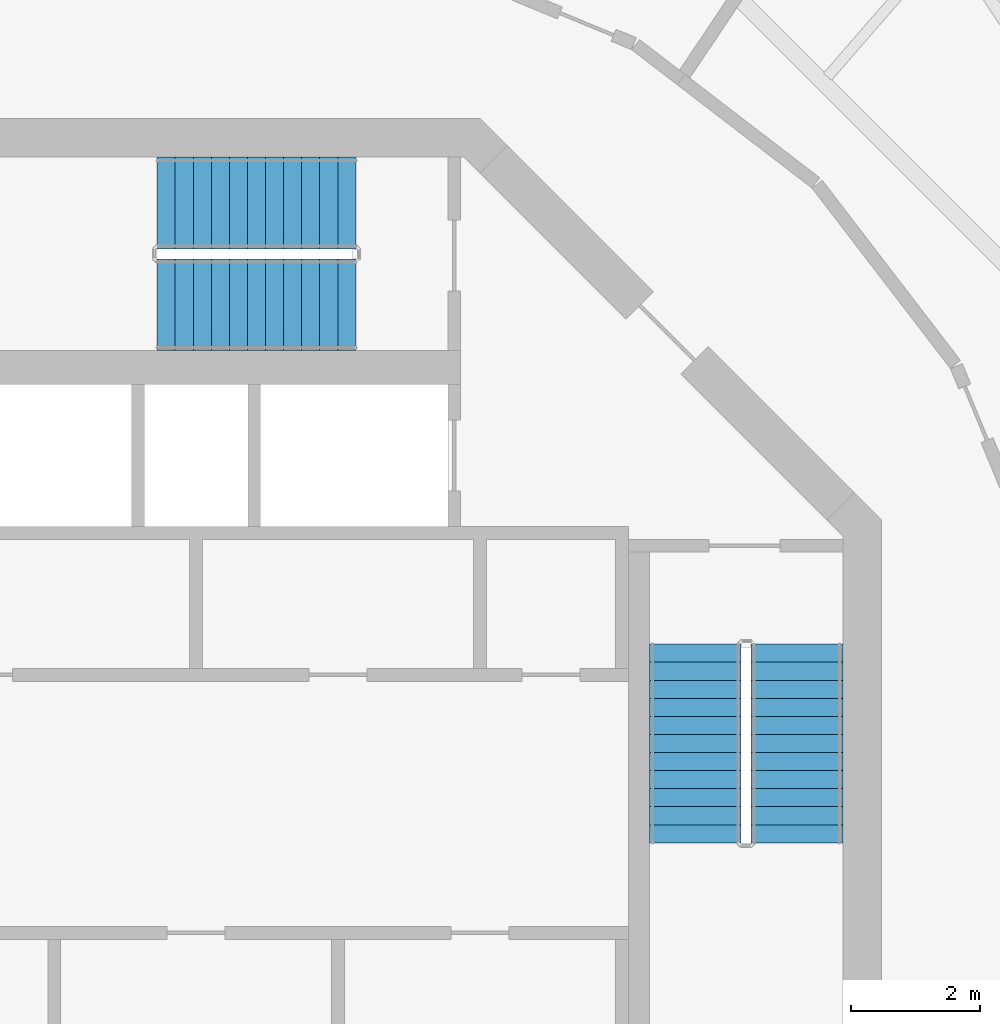
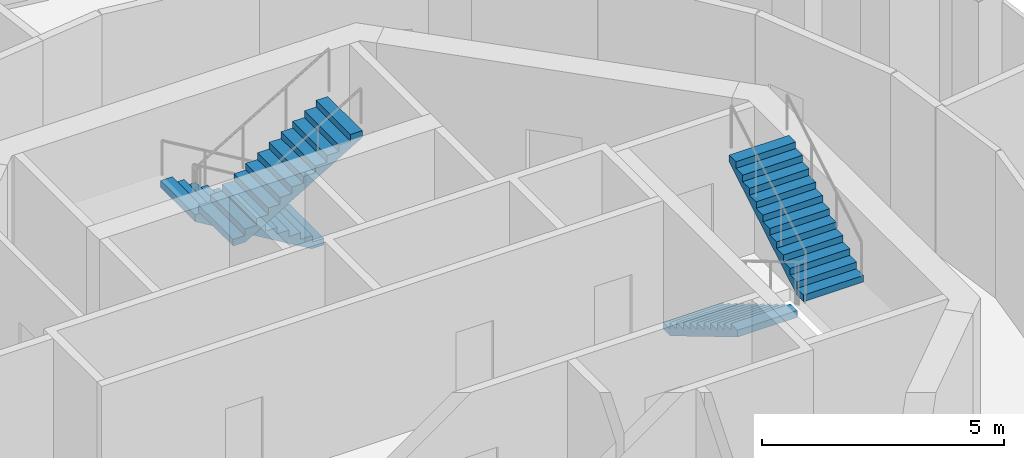
# One storey, part 10 of 11: 4 stair flights, 2 elements without a shape of their own.
"""IFC4 building model written with IfcOpenShell, lengths in metres."""

import ifcopenshell
import ifcopenshell.guid

model = None  # the IFC model being written
_history = None  # IfcOwnerHistory: only IFC2X3 demands one
_inside = {}  # id of a spatial element -> (the spatial element, [elements in it])
_under = {}  # id of a project, library or spatial element -> (it, [spatial elements below it])
_declared = {}  # id of a project -> (the project, [libraries it declares])
_typed = {}  # id of a type object -> (the type object, [elements of that type])
_made_of = {}  # id of a material, layer set ... -> (it, [elements and type objects made of it])


def new_model(schema):
    """Start an empty IFC model of exactly this schema.

    Asked for "IFC4X3", IfcOpenShell would pick the latest addendum, in which some entities
    have other attributes; the version numbers below select the first issue.
    IFC2X3 requires an IfcOwnerHistory on every rooted entity: one is made here for all.
    """
    global model, _history
    if schema == "IFC4X3":
        model = ifcopenshell.file(schema_version=(4, 3, 0, 0))
    else:
        model = ifcopenshell.file(schema=schema)
    _inside.clear()
    _under.clear()
    _declared.clear()
    _typed.clear()
    _made_of.clear()
    _history = None
    if model.schema == "IFC2X3":
        org = make("IfcOrganization", Name="unknown")
        user = make(
            "IfcPersonAndOrganization",
            ThePerson=make("IfcPerson", FamilyName="unknown"),
            TheOrganization=org,
        )
        app = make(
            "IfcApplication",
            ApplicationDeveloper=org,
            Version="unknown",
            ApplicationFullName="unknown",
            ApplicationIdentifier="unknown",
        )
        _history = make(
            "IfcOwnerHistory",
            OwningUser=user,
            OwningApplication=app,
            ChangeAction="ADDED",
            CreationDate=0,
        )
    return model


def make(cls, **values):
    """One entity of the class cls with the attributes given. An attribute that is None is left unset."""
    return model.create_entity(
        cls, **{name: value for name, value in values.items() if value is not None}
    )


def rooted(cls, **values):
    """An entity with a GlobalId (a new one), such as an element, a storey or a relation."""
    return make(cls, GlobalId=ifcopenshell.guid.new(), OwnerHistory=_history, **values)


def si_unit(unit_type, name, prefix=None):
    """IfcSIUnit, for example si_unit("LENGTHUNIT", "METRE", prefix="MILLI")."""
    return make("IfcSIUnit", UnitType=unit_type, Prefix=prefix, Name=name)


def assignment(units):
    """IfcUnitAssignment: the units of a project."""
    return None if units is None else make("IfcUnitAssignment", Units=units)


def point(xyz):
    """IfcCartesianPoint."""
    return None if xyz is None else make("IfcCartesianPoint", Coordinates=xyz)


def direction(xyz):
    """IfcDirection."""
    return None if xyz is None else make("IfcDirection", DirectionRatios=xyz)


def frame(location, z_axis=None, x_axis=None):
    """IfcAxis2Placement3D, a coordinate frame: its origin and axes. An axis left out is left unset."""
    return make(
        "IfcAxis2Placement3D",
        Location=point(location),
        Axis=direction(z_axis),
        RefDirection=direction(x_axis),
    )


def origin():
    """The frame at (0, 0, 0) with its axes left unset."""
    return frame((0.0, 0.0, 0.0))


def place(relative_to, where):
    """IfcLocalPlacement: puts the frame where relative to a parent placement (None: the world)."""
    return make(
        "IfcLocalPlacement", PlacementRelTo=relative_to, RelativePlacement=where
    )


def context(
    kind, dimensions, precision=None, world=None, true_north=None, identifier=None
):
    """IfcGeometricRepresentationContext, for example the 3D "Model" context."""
    return make(
        "IfcGeometricRepresentationContext",
        ContextIdentifier=identifier,
        ContextType=kind,
        CoordinateSpaceDimension=dimensions,
        Precision=precision,
        WorldCoordinateSystem=world,
        TrueNorth=true_north,
    )


def subcontext(parent, identifier, kind, view, scale=None):
    """IfcGeometricRepresentationSubContext, for example "Body" below "Model"."""
    return make(
        "IfcGeometricRepresentationSubContext",
        ContextIdentifier=identifier,
        ContextType=kind,
        ParentContext=parent,
        TargetScale=scale,
        TargetView=view,
    )


def project(units=None, contexts=None):
    """IfcProject with its units and contexts."""
    return rooted(
        "IfcProject",
        Name="project",
        RepresentationContexts=contexts,
        UnitsInContext=assignment(units),
    )


def spatial(cls, under=None, at=None, **own):
    """A site, building, storey or space (cls), placed at a placement, below another one or the project."""
    s = rooted(cls, ObjectPlacement=at, **own)
    if under is not None:
        _under.setdefault(under.id(), (under, []))[1].append(s)
    return s


def polyline(points):
    """IfcPolyline through the points."""
    return make("IfcPolyline", Points=[point(p) for p in points])


def outline(outer, holes=None, kind="AREA"):
    """IfcArbitraryClosedProfileDef: a profile drawn as a closed curve; with holes, ...WithVoids."""
    if holes is None:
        return make("IfcArbitraryClosedProfileDef", ProfileType=kind, OuterCurve=outer)
    return make(
        "IfcArbitraryProfileDefWithVoids",
        ProfileType=kind,
        OuterCurve=outer,
        InnerCurves=holes,
    )


def extrude(swept, where, along, depth):
    """IfcExtrudedAreaSolid: the profile swept, set in the frame where, extruded along a direction by depth."""
    return make(
        "IfcExtrudedAreaSolid",
        SweptArea=swept,
        Position=where,
        ExtrudedDirection=direction(along),
        Depth=depth,
    )


def shape(context_of_items, identifier, shape_type, items):
    """IfcShapeRepresentation: the items that make up one representation, for example the "Body"."""
    return make(
        "IfcShapeRepresentation",
        ContextOfItems=context_of_items,
        RepresentationIdentifier=identifier,
        RepresentationType=shape_type,
        Items=items,
    )


def material(Name=None, Category=None):
    """IfcMaterial."""
    return make("IfcMaterial", Name=Name, Category=Category)


def made_of(thing, what):
    """Note that an element or type object is made of a material, layer set ...; save() writes the relation."""
    if what is not None:
        _made_of.setdefault(what.id(), (what, []))[1].append(thing)
    return thing


def type_object(cls, material=None, **own):
    """A type object (cls), such as IfcWallType, which elements share."""
    return made_of(rooted(cls, **own), material)


def element(
    cls,
    number,
    at=None,
    inside=None,
    cuts=None,
    type_object=None,
    material=None,
    context=None,
    identifier="Body",
    shape_type=None,
    held_by="IfcProductDefinitionShape",
    body=None,
    shapes=None,
    **own,
):
    """One element of the class cls, such as IfcWall. Its Tag is "e" and its number.

    at: its placement. inside: the storey or other place that contains it. cuts: it is an
    opening in that element (IfcRelVoidsElement). A single representation is given by context,
    identifier, shape_type and body (its items); several are given by shapes. held_by: the class
    of the entity that holds the representations. save() writes the other relations.
    """
    e = rooted(cls, Tag="e%d" % number, ObjectPlacement=at, **own)
    if body is not None:
        shapes = [shape(context, identifier, shape_type, body)]
    if shapes is not None:
        e.Representation = make(held_by, Representations=shapes)
    if inside is not None:
        _inside.setdefault(inside.id(), (inside, []))[1].append(e)
    if cuts is not None:
        rooted(
            "IfcRelVoidsElement", RelatingBuildingElement=cuts, RelatedOpeningElement=e
        )
    if type_object is not None:
        _typed.setdefault(type_object.id(), (type_object, []))[1].append(e)
    return made_of(e, material)


def aggregate(whole, parts):
    """IfcRelAggregates: a whole, such as a stair, and the parts it consists of."""
    return rooted("IfcRelAggregates", RelatingObject=whole, RelatedObjects=parts)


def save(model, path):
    """Write the relations noted so far, then the file.

    IfcRelAggregates (storeys below a building ...), IfcRelContainedInSpatialStructure (elements
    in a storey), IfcRelDefinesByType, IfcRelAssociatesMaterial and IfcRelDeclares: one each for
    every whole, place, type object, material and project.
    """
    for whole, parts in _under.values():
        aggregate(whole, parts)
    for where, things in _inside.values():
        rooted(
            "IfcRelContainedInSpatialStructure",
            RelatedElements=things,
            RelatingStructure=where,
        )
    for kind, things in _typed.values():
        rooted("IfcRelDefinesByType", RelatedObjects=things, RelatingType=kind)
    for what, things in _made_of.values():
        rooted("IfcRelAssociatesMaterial", RelatedObjects=things, RelatingMaterial=what)
    for by, libraries in _declared.values():
        rooted("IfcRelDeclares", RelatingContext=by, RelatedDefinitions=libraries)
    model.write(path)


model = new_model("IFC4")

# Units and contexts
model_context = context("Model", 3, precision=1e-05, world=origin(), true_north=direction((0.0, 1.0)))
body_context = subcontext(model_context, "Body", "Model", "MODEL_VIEW")
ifc_project = project(units=[si_unit("LENGTHUNIT", "METRE"), si_unit("AREAUNIT", "SQUARE_METRE"), si_unit("VOLUMEUNIT", "CUBIC_METRE"), si_unit("PLANEANGLEUNIT", "RADIAN"), si_unit("MASSUNIT", "GRAM", prefix="KILO")], contexts=[model_context])

# Site, building, storey
site_placement = place(None, origin())
site = spatial("IfcSite", under=ifc_project, at=site_placement, CompositionType="ELEMENT")
building_placement = place(site_placement, origin())
building = spatial("IfcBuilding", under=site, at=building_placement, Name="Nagisa Residences", CompositionType="ELEMENT")
storey_placement = place(building_placement, frame((0.0, 0.0, 332.89990234375)))
storey = spatial("IfcBuildingStorey", under=building, at=storey_placement, Name="L82", CompositionType="ELEMENT", Elevation=332.89990234375)

# Stair, stair flights
ifc_material_1 = material(Name="Concrete C60", Category="concrete")
stair_type = type_object("IfcStairType", Name="Exit stair", PredefinedType="HALF_TURN_STAIR", material=ifc_material_1)
stair_1_placement = place(storey_placement, origin())
stair_1 = element("IfcStair", 1, at=stair_1_placement, inside=storey, type_object=stair_type, Name="L82 Exit stair E", PredefinedType="HALF_TURN_STAIR")
ifc_material_2 = material(Name="Concrete C60", Category="concrete")
stair_flight_type = type_object("IfcStairFlightType", Name="Exit stair flight", PredefinedType="STRAIGHT", material=ifc_material_2)
stair_flight_1_placement = place(storey_placement, frame((7.737060546875, 2.47509765625, 0.0), z_axis=(0.0, 0.0, 1.0), x_axis=(0.0, -1.0, 0.0)))
stair_flight_1 = element("IfcStairFlight", 2, at=stair_flight_1_placement, type_object=stair_flight_type, Name="ST-E flight 1", NumberOfRisers=12, NumberOfTreads=11, PredefinedType="STRAIGHT", RiserHeight=0.166666667, TreadLength=0.28, context=body_context, shape_type="SweptSolid", body=[
    extrude(outline(polyline([(0.0, 0.0), (0.0, 0.166748046875), (0.280029296875, 0.166748046875), (0.280029296875, 0.333251953125), (0.56005859375, 0.333251953125), (0.56005859375, 0.5), (0.840087890625, 0.5), (0.840087890625, 0.666748046875), (1.1201171875, 0.666748046875), (1.1201171875, 0.833251953125), (1.39990234375, 0.833251953125), (1.39990234375, 1.0), (1.679931640625, 1.0), (1.679931640625, 1.166748046875), (1.9599609375, 1.166748046875), (1.9599609375, 1.333251953125), (2.239990234375, 1.333251953125), (2.239990234375, 1.5), (2.52001953125, 1.5), (2.52001953125, 1.666748046875), (2.800048828125, 1.666748046875), (2.800048828125, 1.833251953125), (3.080078125, 1.833251953125), (3.080078125, 2.0), (3.080078125, 1.658935546875), (0.29296875, 0.0), (0.0, 0.0)])), frame((0.0, 0.71240234375, 0.0), z_axis=(0.0, -1.0, 0.0), x_axis=(1.0, 0.0, 0.0)), (0.0, 0.0, 1.0), 1.425048828125),
])
stair_flight_2_placement = place(storey_placement, frame((9.31201171875, -0.60498046875, 2.0), z_axis=(0.0, 0.0, 1.0), x_axis=(0.0, 1.0, 0.0)))
stair_flight_2 = element("IfcStairFlight", 3, at=stair_flight_2_placement, type_object=stair_flight_type, Name="ST-E flight 2", NumberOfRisers=12, NumberOfTreads=11, PredefinedType="STRAIGHT", RiserHeight=0.166666667, TreadLength=0.28, context=body_context, shape_type="SweptSolid", body=[
    extrude(outline(polyline([(0.0, 0.0), (0.0, 0.166748046875), (0.280029296875, 0.166748046875), (0.280029296875, 0.333251953125), (0.56005859375, 0.333251953125), (0.56005859375, 0.5), (0.840087890625, 0.5), (0.840087890625, 0.666748046875), (1.1201171875, 0.666748046875), (1.1201171875, 0.833251953125), (1.39990234375, 0.833251953125), (1.39990234375, 1.0), (1.679931640625, 1.0), (1.679931640625, 1.166748046875), (1.9599609375, 1.166748046875), (1.9599609375, 1.333251953125), (2.239990234375, 1.333251953125), (2.239990234375, 1.5), (2.52001953125, 1.5), (2.52001953125, 1.666748046875), (2.800048828125, 1.666748046875), (2.800048828125, 1.833251953125), (3.080078125, 1.833251953125), (3.080078125, 2.0), (3.080078125, 1.658935546875), (0.29296875, 0.0), (0.0, 0.0)])), frame((0.0, 0.71240234375, 0.0), z_axis=(0.0, -1.0, 0.0), x_axis=(1.0, 0.0, 0.0)), (0.0, 0.0, 1.0), 1.425048828125),
])
aggregate(stair_1, [stair_flight_1, stair_flight_2])

stair_2_placement = place(storey_placement, origin())
stair_2 = element("IfcStair", 4, at=stair_2_placement, inside=storey, type_object=stair_type, Name="L82 Exit stair N", PredefinedType="HALF_TURN_STAIR")
stair_flight_3_placement = place(storey_placement, frame((2.47509765625, 9.31201171875, 0.0), z_axis=(0.0, 0.0, 1.0), x_axis=(-1.0, 0.0, 0.0)))
stair_flight_3 = element("IfcStairFlight", 5, at=stair_flight_3_placement, type_object=stair_flight_type, Name="ST-N flight 1", NumberOfRisers=12, NumberOfTreads=11, PredefinedType="STRAIGHT", RiserHeight=0.166666667, TreadLength=0.28, context=body_context, shape_type="SweptSolid", body=[
    extrude(outline(polyline([(0.0, 0.0), (0.0, 0.166748046875), (0.280029296875, 0.166748046875), (0.280029296875, 0.333251953125), (0.56005859375, 0.333251953125), (0.56005859375, 0.5), (0.840087890625, 0.5), (0.840087890625, 0.666748046875), (1.1201171875, 0.666748046875), (1.1201171875, 0.833251953125), (1.39990234375, 0.833251953125), (1.39990234375, 1.0), (1.679931640625, 1.0), (1.679931640625, 1.166748046875), (1.9599609375, 1.166748046875), (1.9599609375, 1.333251953125), (2.239990234375, 1.333251953125), (2.239990234375, 1.5), (2.52001953125, 1.5), (2.52001953125, 1.666748046875), (2.800048828125, 1.666748046875), (2.800048828125, 1.833251953125), (3.080078125, 1.833251953125), (3.080078125, 2.0), (3.080078125, 1.658935546875), (0.29296875, 0.0), (0.0, 0.0)])), frame((0.0, 0.71240234375, 0.0), z_axis=(0.0, -1.0, 0.0), x_axis=(1.0, 0.0, 0.0)), (0.0, 0.0, 1.0), 1.425048828125),
])
stair_flight_4_placement = place(storey_placement, frame((-0.60498046875, 7.737060546875, 2.0), z_axis=(0.0, 0.0, 1.0), x_axis=(1.0, 0.0, 0.0)))
stair_flight_4 = element("IfcStairFlight", 6, at=stair_flight_4_placement, type_object=stair_flight_type, Name="ST-N flight 2", NumberOfRisers=12, NumberOfTreads=11, PredefinedType="STRAIGHT", RiserHeight=0.166666667, TreadLength=0.28, context=body_context, shape_type="SweptSolid", body=[
    extrude(outline(polyline([(0.0, 0.0), (0.0, 0.166748046875), (0.280029296875, 0.166748046875), (0.280029296875, 0.333251953125), (0.56005859375, 0.333251953125), (0.56005859375, 0.5), (0.840087890625, 0.5), (0.840087890625, 0.666748046875), (1.1201171875, 0.666748046875), (1.1201171875, 0.833251953125), (1.39990234375, 0.833251953125), (1.39990234375, 1.0), (1.679931640625, 1.0), (1.679931640625, 1.166748046875), (1.9599609375, 1.166748046875), (1.9599609375, 1.333251953125), (2.239990234375, 1.333251953125), (2.239990234375, 1.5), (2.52001953125, 1.5), (2.52001953125, 1.666748046875), (2.800048828125, 1.666748046875), (2.800048828125, 1.833251953125), (3.080078125, 1.833251953125), (3.080078125, 2.0), (3.080078125, 1.658935546875), (0.29296875, 0.0), (0.0, 0.0)])), frame((0.0, 0.71240234375, 0.0), z_axis=(0.0, -1.0, 0.0), x_axis=(1.0, 0.0, 0.0)), (0.0, 0.0, 1.0), 1.425048828125),
])
aggregate(stair_2, [stair_flight_3, stair_flight_4])

save(model, "model.ifc")
